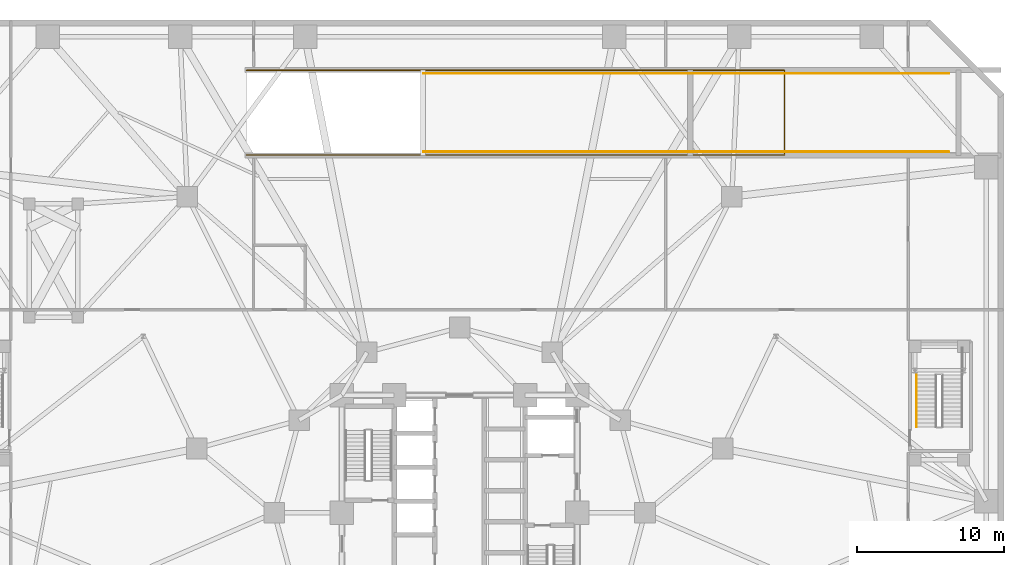
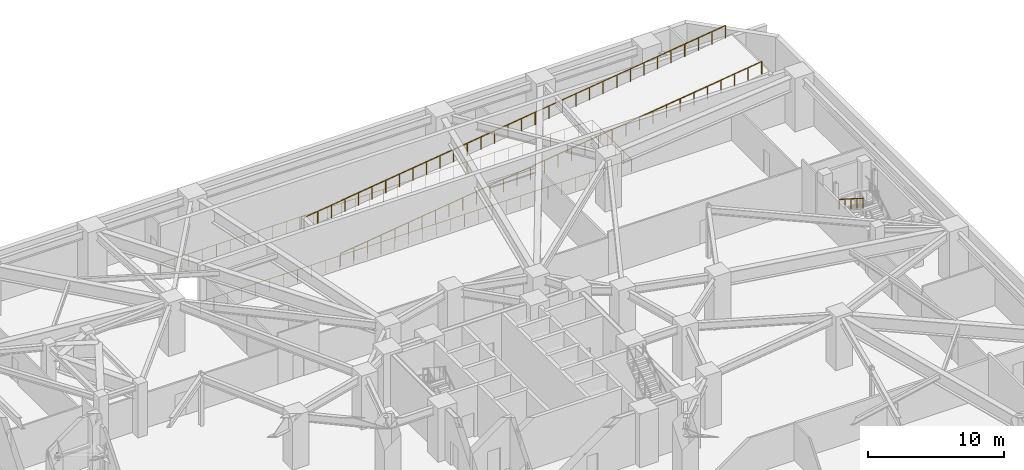
# One storey, part 17 of 18: 4 railings.
"""IFC4 building model written with IfcOpenShell, lengths in metres."""

from ifc_helpers import new_model, si_unit, direction, frame, origin, origin_2d, place, context, subcontext, project, spatial, circle, extrude, material, layer, layer_set, type_object, element, save


model = new_model("IFC4")

# Units and contexts
model_context = context("Model", 3, precision=1e-05, world=origin(), true_north=direction((0.0, 1.0)))
body_context = subcontext(model_context, "Body", "Model", "MODEL_VIEW")
ifc_project = project(units=[si_unit("LENGTHUNIT", "METRE"), si_unit("AREAUNIT", "SQUARE_METRE"), si_unit("VOLUMEUNIT", "CUBIC_METRE"), si_unit("PLANEANGLEUNIT", "RADIAN"), si_unit("MASSUNIT", "GRAM", prefix="KILO")], contexts=[model_context])

# Site, building, storey
site_placement = place(None, origin())
site = spatial("IfcSite", under=ifc_project, at=site_placement, CompositionType="ELEMENT")
building_placement = place(site_placement, origin())
building = spatial("IfcBuilding", under=site, at=building_placement, Name="Terralouvre Media Tower", CompositionType="ELEMENT")
storey_placement = place(building_placement, frame((0.0, 0.0, -4.800048828125)))
storey = spatial("IfcBuildingStorey", under=building, at=storey_placement, Name="B01", CompositionType="ELEMENT", Elevation=-4.800048828125)

# Railings
ifc_material_1 = material(Name="Stainless steel 316 handrail and balustrade", Category="steel")
ifc_layer_1 = layer(ifc_material_1, 0.06005859375, Name="Roof Edge Safety Guardrail GR-ROOF1")
ifc_layer_set_1 = layer_set([ifc_layer_1], Name="Stainless steel 316 handrail and balustrade")
railing_type_1 = type_object("IfcRailingType", Name="Roof Edge Safety Guardrail GR-ROOF1", PredefinedType="GUARDRAIL", material=ifc_layer_set_1)
railing_1_placement = place(storey_placement, frame((-2.4599609375, 24.5400390625, 0.0)))
element("IfcRailing", 1, at=railing_1_placement, inside=storey, type_object=railing_type_1, Name="Vehicle Ramp VR2 S Guardrail", PredefinedType="GUARDRAIL", context=body_context, shape_type="SweptSolid", body=[
    extrude(circle(Radius=0.02392578125, at=origin_2d()), frame((0.0, 0.0, 1.1259765625), z_axis=(0.991449726843, 0.0, 0.130489229985), x_axis=(0.0, 1.0, 0.0)), (0.0, 0.0, 1.0), 36.017822265625),
    extrude(circle(Radius=0.02099609375, at=origin_2d()), origin(), (0.0, 0.0, 1.0), 1.101806640625),
    extrude(circle(Radius=0.02099609375, at=origin_2d()), frame((1.15185546875, 0.0, 0.151611328125)), (0.0, 0.0, 1.0), 1.101806640625),
    extrude(circle(Radius=0.02099609375, at=origin_2d()), frame((2.303955078125, 0.0, 0.30322265625)), (0.0, 0.0, 1.0), 1.101806640625),
    extrude(circle(Radius=0.02099609375, at=origin_2d()), frame((3.455810546875, 0.0, 0.454833984375)), (0.0, 0.0, 1.0), 1.101806640625),
    extrude(circle(Radius=0.02099609375, at=origin_2d()), frame((4.607666015625, 0.0, 0.6064453125)), (0.0, 0.0, 1.0), 1.101806640625),
    extrude(circle(Radius=0.02099609375, at=origin_2d()), frame((5.759765625, 0.0, 0.758056640625)), (0.0, 0.0, 1.0), 1.101806640625),
    extrude(circle(Radius=0.02099609375, at=origin_2d()), frame((6.91162109375, 0.0, 0.90966796875)), (0.0, 0.0, 1.0), 1.101806640625),
    extrude(circle(Radius=0.02099609375, at=origin_2d()), frame((8.0634765625, 0.0, 1.061279296875)), (0.0, 0.0, 1.0), 1.101806640625),
    extrude(circle(Radius=0.02099609375, at=origin_2d()), frame((9.215576171875, 0.0, 1.212890625)), (0.0, 0.0, 1.0), 1.101806640625),
    extrude(circle(Radius=0.02099609375, at=origin_2d()), frame((10.367431640625, 0.0, 1.364501953125)), (0.0, 0.0, 1.0), 1.101806640625),
    extrude(circle(Radius=0.02099609375, at=origin_2d()), frame((11.519287109375, 0.0, 1.51611328125)), (0.0, 0.0, 1.0), 1.101806640625),
    extrude(circle(Radius=0.02099609375, at=origin_2d()), frame((12.67138671875, 0.0, 1.667724609375)), (0.0, 0.0, 1.0), 1.101806640625),
    extrude(circle(Radius=0.02099609375, at=origin_2d()), frame((13.8232421875, 0.0, 1.8193359375)), (0.0, 0.0, 1.0), 1.101806640625),
    extrude(circle(Radius=0.02099609375, at=origin_2d()), frame((14.97509765625, 0.0, 1.970947265625)), (0.0, 0.0, 1.0), 1.101806640625),
    extrude(circle(Radius=0.02099609375, at=origin_2d()), frame((16.127197265625, 0.0, 2.12255859375)), (0.0, 0.0, 1.0), 1.101806640625),
    extrude(circle(Radius=0.02099609375, at=origin_2d()), frame((17.279052734375, 0.0, 2.274169921875)), (0.0, 0.0, 1.0), 1.101806640625),
    extrude(circle(Radius=0.02099609375, at=origin_2d()), frame((18.430908203125, 0.0, 2.42578125)), (0.0, 0.0, 1.0), 1.101806640625),
    extrude(circle(Radius=0.02099609375, at=origin_2d()), frame((19.582763671875, 0.0, 2.577392578125)), (0.0, 0.0, 1.0), 1.101806640625),
    extrude(circle(Radius=0.02099609375, at=origin_2d()), frame((20.73486328125, 0.0, 2.72900390625)), (0.0, 0.0, 1.0), 1.101806640625),
    extrude(circle(Radius=0.02099609375, at=origin_2d()), frame((21.88671875, 0.0, 2.880615234375)), (0.0, 0.0, 1.0), 1.101806640625),
    extrude(circle(Radius=0.02099609375, at=origin_2d()), frame((23.03857421875, 0.0, 3.0322265625)), (0.0, 0.0, 1.0), 1.101806640625),
    extrude(circle(Radius=0.02099609375, at=origin_2d()), frame((24.190673828125, 0.0, 3.183837890625)), (0.0, 0.0, 1.0), 1.101806640625),
    extrude(circle(Radius=0.02099609375, at=origin_2d()), frame((25.342529296875, 0.0, 3.33544921875)), (0.0, 0.0, 1.0), 1.101806640625),
    extrude(circle(Radius=0.02099609375, at=origin_2d()), frame((26.494384765625, 0.0, 3.487060546875)), (0.0, 0.0, 1.0), 1.101806640625),
    extrude(circle(Radius=0.02099609375, at=origin_2d()), frame((27.646484375, 0.0, 3.638671875)), (0.0, 0.0, 1.0), 1.101806640625),
    extrude(circle(Radius=0.02099609375, at=origin_2d()), frame((28.79833984375, 0.0, 3.790283203125)), (0.0, 0.0, 1.0), 1.101806640625),
    extrude(circle(Radius=0.02099609375, at=origin_2d()), frame((29.9501953125, 0.0, 3.94189453125)), (0.0, 0.0, 1.0), 1.101806640625),
    extrude(circle(Radius=0.02099609375, at=origin_2d()), frame((31.102294921875, 0.0, 4.093505859375)), (0.0, 0.0, 1.0), 1.101806640625),
    extrude(circle(Radius=0.02099609375, at=origin_2d()), frame((32.254150390625, 0.0, 4.2451171875)), (0.0, 0.0, 1.0), 1.101806640625),
    extrude(circle(Radius=0.02099609375, at=origin_2d()), frame((33.406005859375, 0.0, 4.396728515625)), (0.0, 0.0, 1.0), 1.101806640625),
    extrude(circle(Radius=0.02099609375, at=origin_2d()), frame((34.55810546875, 0.0, 4.54833984375)), (0.0, 0.0, 1.0), 1.101806640625),
    extrude(circle(Radius=0.02099609375, at=origin_2d()), frame((35.7099609375, 0.0, 4.699951171875)), (0.0, 0.0, 1.0), 1.101806640625),
])
railing_2_placement = place(storey_placement, frame((-2.4599609375, 29.860107421875, 0.0)))
element("IfcRailing", 2, at=railing_2_placement, inside=storey, type_object=railing_type_1, Name="Vehicle Ramp VR2 N Guardrail", PredefinedType="GUARDRAIL", context=body_context, shape_type="SweptSolid", body=[
    extrude(circle(Radius=0.02392578125, at=origin_2d()), frame((0.0, 0.0, 1.1259765625), z_axis=(0.991449726843, 0.0, 0.130489229985), x_axis=(0.0, 1.0, 0.0)), (0.0, 0.0, 1.0), 36.017822265625),
    extrude(circle(Radius=0.02099609375, at=origin_2d()), origin(), (0.0, 0.0, 1.0), 1.101806640625),
    extrude(circle(Radius=0.02099609375, at=origin_2d()), frame((1.15185546875, 0.0, 0.151611328125)), (0.0, 0.0, 1.0), 1.101806640625),
    extrude(circle(Radius=0.02099609375, at=origin_2d()), frame((2.303955078125, 0.0, 0.30322265625)), (0.0, 0.0, 1.0), 1.101806640625),
    extrude(circle(Radius=0.02099609375, at=origin_2d()), frame((3.455810546875, 0.0, 0.454833984375)), (0.0, 0.0, 1.0), 1.101806640625),
    extrude(circle(Radius=0.02099609375, at=origin_2d()), frame((4.607666015625, 0.0, 0.6064453125)), (0.0, 0.0, 1.0), 1.101806640625),
    extrude(circle(Radius=0.02099609375, at=origin_2d()), frame((5.759765625, 0.0, 0.758056640625)), (0.0, 0.0, 1.0), 1.101806640625),
    extrude(circle(Radius=0.02099609375, at=origin_2d()), frame((6.91162109375, 0.0, 0.90966796875)), (0.0, 0.0, 1.0), 1.101806640625),
    extrude(circle(Radius=0.02099609375, at=origin_2d()), frame((8.0634765625, 0.0, 1.061279296875)), (0.0, 0.0, 1.0), 1.101806640625),
    extrude(circle(Radius=0.02099609375, at=origin_2d()), frame((9.215576171875, 0.0, 1.212890625)), (0.0, 0.0, 1.0), 1.101806640625),
    extrude(circle(Radius=0.02099609375, at=origin_2d()), frame((10.367431640625, 0.0, 1.364501953125)), (0.0, 0.0, 1.0), 1.101806640625),
    extrude(circle(Radius=0.02099609375, at=origin_2d()), frame((11.519287109375, 0.0, 1.51611328125)), (0.0, 0.0, 1.0), 1.101806640625),
    extrude(circle(Radius=0.02099609375, at=origin_2d()), frame((12.67138671875, 0.0, 1.667724609375)), (0.0, 0.0, 1.0), 1.101806640625),
    extrude(circle(Radius=0.02099609375, at=origin_2d()), frame((13.8232421875, 0.0, 1.8193359375)), (0.0, 0.0, 1.0), 1.101806640625),
    extrude(circle(Radius=0.02099609375, at=origin_2d()), frame((14.97509765625, 0.0, 1.970947265625)), (0.0, 0.0, 1.0), 1.101806640625),
    extrude(circle(Radius=0.02099609375, at=origin_2d()), frame((16.127197265625, 0.0, 2.12255859375)), (0.0, 0.0, 1.0), 1.101806640625),
    extrude(circle(Radius=0.02099609375, at=origin_2d()), frame((17.279052734375, 0.0, 2.274169921875)), (0.0, 0.0, 1.0), 1.101806640625),
    extrude(circle(Radius=0.02099609375, at=origin_2d()), frame((18.430908203125, 0.0, 2.42578125)), (0.0, 0.0, 1.0), 1.101806640625),
    extrude(circle(Radius=0.02099609375, at=origin_2d()), frame((19.582763671875, 0.0, 2.577392578125)), (0.0, 0.0, 1.0), 1.101806640625),
    extrude(circle(Radius=0.02099609375, at=origin_2d()), frame((20.73486328125, 0.0, 2.72900390625)), (0.0, 0.0, 1.0), 1.101806640625),
    extrude(circle(Radius=0.02099609375, at=origin_2d()), frame((21.88671875, 0.0, 2.880615234375)), (0.0, 0.0, 1.0), 1.101806640625),
    extrude(circle(Radius=0.02099609375, at=origin_2d()), frame((23.03857421875, 0.0, 3.0322265625)), (0.0, 0.0, 1.0), 1.101806640625),
    extrude(circle(Radius=0.02099609375, at=origin_2d()), frame((24.190673828125, 0.0, 3.183837890625)), (0.0, 0.0, 1.0), 1.101806640625),
    extrude(circle(Radius=0.02099609375, at=origin_2d()), frame((25.342529296875, 0.0, 3.33544921875)), (0.0, 0.0, 1.0), 1.101806640625),
    extrude(circle(Radius=0.02099609375, at=origin_2d()), frame((26.494384765625, 0.0, 3.487060546875)), (0.0, 0.0, 1.0), 1.101806640625),
    extrude(circle(Radius=0.02099609375, at=origin_2d()), frame((27.646484375, 0.0, 3.638671875)), (0.0, 0.0, 1.0), 1.101806640625),
    extrude(circle(Radius=0.02099609375, at=origin_2d()), frame((28.79833984375, 0.0, 3.790283203125)), (0.0, 0.0, 1.0), 1.101806640625),
    extrude(circle(Radius=0.02099609375, at=origin_2d()), frame((29.9501953125, 0.0, 3.94189453125)), (0.0, 0.0, 1.0), 1.101806640625),
    extrude(circle(Radius=0.02099609375, at=origin_2d()), frame((31.102294921875, 0.0, 4.093505859375)), (0.0, 0.0, 1.0), 1.101806640625),
    extrude(circle(Radius=0.02099609375, at=origin_2d()), frame((32.254150390625, 0.0, 4.2451171875)), (0.0, 0.0, 1.0), 1.101806640625),
    extrude(circle(Radius=0.02099609375, at=origin_2d()), frame((33.406005859375, 0.0, 4.396728515625)), (0.0, 0.0, 1.0), 1.101806640625),
    extrude(circle(Radius=0.02099609375, at=origin_2d()), frame((34.55810546875, 0.0, 4.54833984375)), (0.0, 0.0, 1.0), 1.101806640625),
    extrude(circle(Radius=0.02099609375, at=origin_2d()), frame((35.7099609375, 0.0, 4.699951171875)), (0.0, 0.0, 1.0), 1.101806640625),
])
railing_3_placement = place(storey_placement, frame((-14.47998046875, 24.320068359375, 0.0)))
element("IfcRailing", 3, at=railing_3_placement, inside=storey, type_object=railing_type_1, Name="B01 Vehicle Ramp Opening Deck Guard", PredefinedType="GUARDRAIL", context=body_context, shape_type="SweptSolid", body=[
    extrude(circle(Radius=0.02392578125, at=origin_2d()), frame((0.0, 0.0, 1.1259765625), z_axis=(1.0, 0.0, 0.0), x_axis=(0.0, 1.0, 0.0)), (0.0, 0.0, 1.0), 36.56005859375),
    extrude(circle(Radius=0.02392578125, at=origin_2d()), frame((36.56005859375, 0.0, 1.1259765625), z_axis=(0.0, 1.0, 0.0), x_axis=(-1.0, 0.0, 0.0)), (0.0, 0.0, 1.0), 5.760009765625),
    extrude(circle(Radius=0.02392578125, at=origin_2d()), frame((36.56005859375, 5.760009765625, 1.1259765625), z_axis=(-1.0, 0.0, 0.0), x_axis=(0.0, -1.0, 0.0)), (0.0, 0.0, 1.0), 36.56005859375),
    extrude(circle(Radius=0.02099609375, at=origin_2d()), origin(), (0.0, 0.0, 1.0), 1.101806640625),
    extrude(circle(Radius=0.02099609375, at=origin_2d()), frame((1.179443359375, 0.0, 0.0)), (0.0, 0.0, 1.0), 1.101806640625),
    extrude(circle(Radius=0.02099609375, at=origin_2d()), frame((2.358642578125, 0.0, 0.0)), (0.0, 0.0, 1.0), 1.101806640625),
    extrude(circle(Radius=0.02099609375, at=origin_2d()), frame((3.5380859375, 0.0, 0.0)), (0.0, 0.0, 1.0), 1.101806640625),
    extrude(circle(Radius=0.02099609375, at=origin_2d()), frame((4.717529296875, 0.0, 0.0)), (0.0, 0.0, 1.0), 1.101806640625),
    extrude(circle(Radius=0.02099609375, at=origin_2d()), frame((5.896728515625, 0.0, 0.0)), (0.0, 0.0, 1.0), 1.101806640625),
    extrude(circle(Radius=0.02099609375, at=origin_2d()), frame((7.076171875, 0.0, 0.0)), (0.0, 0.0, 1.0), 1.101806640625),
    extrude(circle(Radius=0.02099609375, at=origin_2d()), frame((8.255615234375, 0.0, 0.0)), (0.0, 0.0, 1.0), 1.101806640625),
    extrude(circle(Radius=0.02099609375, at=origin_2d()), frame((9.434814453125, 0.0, 0.0)), (0.0, 0.0, 1.0), 1.101806640625),
    extrude(circle(Radius=0.02099609375, at=origin_2d()), frame((10.6142578125, 0.0, 0.0)), (0.0, 0.0, 1.0), 1.101806640625),
    extrude(circle(Radius=0.02099609375, at=origin_2d()), frame((11.79345703125, 0.0, 0.0)), (0.0, 0.0, 1.0), 1.101806640625),
    extrude(circle(Radius=0.02099609375, at=origin_2d()), frame((12.972900390625, 0.0, 0.0)), (0.0, 0.0, 1.0), 1.101806640625),
    extrude(circle(Radius=0.02099609375, at=origin_2d()), frame((14.15234375, 0.0, 0.0)), (0.0, 0.0, 1.0), 1.101806640625),
    extrude(circle(Radius=0.02099609375, at=origin_2d()), frame((15.33154296875, 0.0, 0.0)), (0.0, 0.0, 1.0), 1.101806640625),
    extrude(circle(Radius=0.02099609375, at=origin_2d()), frame((16.510986328125, 0.0, 0.0)), (0.0, 0.0, 1.0), 1.101806640625),
    extrude(circle(Radius=0.02099609375, at=origin_2d()), frame((17.6904296875, 0.0, 0.0)), (0.0, 0.0, 1.0), 1.101806640625),
    extrude(circle(Radius=0.02099609375, at=origin_2d()), frame((18.86962890625, 0.0, 0.0)), (0.0, 0.0, 1.0), 1.101806640625),
    extrude(circle(Radius=0.02099609375, at=origin_2d()), frame((20.049072265625, 0.0, 0.0)), (0.0, 0.0, 1.0), 1.101806640625),
    extrude(circle(Radius=0.02099609375, at=origin_2d()), frame((21.228515625, 0.0, 0.0)), (0.0, 0.0, 1.0), 1.101806640625),
    extrude(circle(Radius=0.02099609375, at=origin_2d()), frame((22.40771484375, 0.0, 0.0)), (0.0, 0.0, 1.0), 1.101806640625),
    extrude(circle(Radius=0.02099609375, at=origin_2d()), frame((23.587158203125, 0.0, 0.0)), (0.0, 0.0, 1.0), 1.101806640625),
    extrude(circle(Radius=0.02099609375, at=origin_2d()), frame((24.7666015625, 0.0, 0.0)), (0.0, 0.0, 1.0), 1.101806640625),
    extrude(circle(Radius=0.02099609375, at=origin_2d()), frame((25.94580078125, 0.0, 0.0)), (0.0, 0.0, 1.0), 1.101806640625),
    extrude(circle(Radius=0.02099609375, at=origin_2d()), frame((27.125244140625, 0.0, 0.0)), (0.0, 0.0, 1.0), 1.101806640625),
    extrude(circle(Radius=0.02099609375, at=origin_2d()), frame((28.304443359375, 0.0, 0.0)), (0.0, 0.0, 1.0), 1.101806640625),
    extrude(circle(Radius=0.02099609375, at=origin_2d()), frame((29.48388671875, 0.0, 0.0)), (0.0, 0.0, 1.0), 1.101806640625),
    extrude(circle(Radius=0.02099609375, at=origin_2d()), frame((30.663330078125, 0.0, 0.0)), (0.0, 0.0, 1.0), 1.101806640625),
    extrude(circle(Radius=0.02099609375, at=origin_2d()), frame((31.842529296875, 0.0, 0.0)), (0.0, 0.0, 1.0), 1.101806640625),
    extrude(circle(Radius=0.02099609375, at=origin_2d()), frame((33.02197265625, 0.0, 0.0)), (0.0, 0.0, 1.0), 1.101806640625),
    extrude(circle(Radius=0.02099609375, at=origin_2d()), frame((34.201416015625, 0.0, 0.0)), (0.0, 0.0, 1.0), 1.101806640625),
    extrude(circle(Radius=0.02099609375, at=origin_2d()), frame((35.380615234375, 0.0, 0.0)), (0.0, 0.0, 1.0), 1.101806640625),
    extrude(circle(Radius=0.02099609375, at=origin_2d()), frame((36.56005859375, 0.0, 0.0)), (0.0, 0.0, 1.0), 1.101806640625),
    extrude(circle(Radius=0.02099609375, at=origin_2d()), frame((36.56005859375, 1.152099609375, 0.0)), (0.0, 0.0, 1.0), 1.101806640625),
    extrude(circle(Radius=0.02099609375, at=origin_2d()), frame((36.56005859375, 2.303955078125, 0.0)), (0.0, 0.0, 1.0), 1.101806640625),
    extrude(circle(Radius=0.02099609375, at=origin_2d()), frame((36.56005859375, 3.4560546875, 0.0)), (0.0, 0.0, 1.0), 1.101806640625),
    extrude(circle(Radius=0.02099609375, at=origin_2d()), frame((36.56005859375, 4.60791015625, 0.0)), (0.0, 0.0, 1.0), 1.101806640625),
    extrude(circle(Radius=0.02099609375, at=origin_2d()), frame((36.56005859375, 5.760009765625, 0.0)), (0.0, 0.0, 1.0), 1.101806640625),
    extrude(circle(Radius=0.02099609375, at=origin_2d()), frame((35.380615234375, 5.760009765625, 0.0)), (0.0, 0.0, 1.0), 1.101806640625),
    extrude(circle(Radius=0.02099609375, at=origin_2d()), frame((34.201416015625, 5.760009765625, 0.0)), (0.0, 0.0, 1.0), 1.101806640625),
    extrude(circle(Radius=0.02099609375, at=origin_2d()), frame((33.02197265625, 5.760009765625, 0.0)), (0.0, 0.0, 1.0), 1.101806640625),
    extrude(circle(Radius=0.02099609375, at=origin_2d()), frame((31.842529296875, 5.760009765625, 0.0)), (0.0, 0.0, 1.0), 1.101806640625),
    extrude(circle(Radius=0.02099609375, at=origin_2d()), frame((30.663330078125, 5.760009765625, 0.0)), (0.0, 0.0, 1.0), 1.101806640625),
    extrude(circle(Radius=0.02099609375, at=origin_2d()), frame((29.48388671875, 5.760009765625, 0.0)), (0.0, 0.0, 1.0), 1.101806640625),
    extrude(circle(Radius=0.02099609375, at=origin_2d()), frame((28.304443359375, 5.760009765625, 0.0)), (0.0, 0.0, 1.0), 1.101806640625),
    extrude(circle(Radius=0.02099609375, at=origin_2d()), frame((27.125244140625, 5.760009765625, 0.0)), (0.0, 0.0, 1.0), 1.101806640625),
    extrude(circle(Radius=0.02099609375, at=origin_2d()), frame((25.94580078125, 5.760009765625, 0.0)), (0.0, 0.0, 1.0), 1.101806640625),
    extrude(circle(Radius=0.02099609375, at=origin_2d()), frame((24.7666015625, 5.760009765625, 0.0)), (0.0, 0.0, 1.0), 1.101806640625),
    extrude(circle(Radius=0.02099609375, at=origin_2d()), frame((23.587158203125, 5.760009765625, 0.0)), (0.0, 0.0, 1.0), 1.101806640625),
    extrude(circle(Radius=0.02099609375, at=origin_2d()), frame((22.40771484375, 5.760009765625, 0.0)), (0.0, 0.0, 1.0), 1.101806640625),
    extrude(circle(Radius=0.02099609375, at=origin_2d()), frame((21.228515625, 5.760009765625, 0.0)), (0.0, 0.0, 1.0), 1.101806640625),
    extrude(circle(Radius=0.02099609375, at=origin_2d()), frame((20.049072265625, 5.760009765625, 0.0)), (0.0, 0.0, 1.0), 1.101806640625),
    extrude(circle(Radius=0.02099609375, at=origin_2d()), frame((18.86962890625, 5.760009765625, 0.0)), (0.0, 0.0, 1.0), 1.101806640625),
    extrude(circle(Radius=0.02099609375, at=origin_2d()), frame((17.6904296875, 5.760009765625, 0.0)), (0.0, 0.0, 1.0), 1.101806640625),
    extrude(circle(Radius=0.02099609375, at=origin_2d()), frame((16.510986328125, 5.760009765625, 0.0)), (0.0, 0.0, 1.0), 1.101806640625),
    extrude(circle(Radius=0.02099609375, at=origin_2d()), frame((15.33154296875, 5.760009765625, 0.0)), (0.0, 0.0, 1.0), 1.101806640625),
    extrude(circle(Radius=0.02099609375, at=origin_2d()), frame((14.15234375, 5.760009765625, 0.0)), (0.0, 0.0, 1.0), 1.101806640625),
    extrude(circle(Radius=0.02099609375, at=origin_2d()), frame((12.972900390625, 5.760009765625, 0.0)), (0.0, 0.0, 1.0), 1.101806640625),
    extrude(circle(Radius=0.02099609375, at=origin_2d()), frame((11.79345703125, 5.760009765625, 0.0)), (0.0, 0.0, 1.0), 1.101806640625),
    extrude(circle(Radius=0.02099609375, at=origin_2d()), frame((10.6142578125, 5.760009765625, 0.0)), (0.0, 0.0, 1.0), 1.101806640625),
    extrude(circle(Radius=0.02099609375, at=origin_2d()), frame((9.434814453125, 5.760009765625, 0.0)), (0.0, 0.0, 1.0), 1.101806640625),
    extrude(circle(Radius=0.02099609375, at=origin_2d()), frame((8.255615234375, 5.760009765625, 0.0)), (0.0, 0.0, 1.0), 1.101806640625),
    extrude(circle(Radius=0.02099609375, at=origin_2d()), frame((7.076171875, 5.760009765625, 0.0)), (0.0, 0.0, 1.0), 1.101806640625),
    extrude(circle(Radius=0.02099609375, at=origin_2d()), frame((5.896728515625, 5.760009765625, 0.0)), (0.0, 0.0, 1.0), 1.101806640625),
    extrude(circle(Radius=0.02099609375, at=origin_2d()), frame((4.717529296875, 5.760009765625, 0.0)), (0.0, 0.0, 1.0), 1.101806640625),
    extrude(circle(Radius=0.02099609375, at=origin_2d()), frame((3.5380859375, 5.760009765625, 0.0)), (0.0, 0.0, 1.0), 1.101806640625),
    extrude(circle(Radius=0.02099609375, at=origin_2d()), frame((2.358642578125, 5.760009765625, 0.0)), (0.0, 0.0, 1.0), 1.101806640625),
    extrude(circle(Radius=0.02099609375, at=origin_2d()), frame((1.179443359375, 5.760009765625, 0.0)), (0.0, 0.0, 1.0), 1.101806640625),
    extrude(circle(Radius=0.02099609375, at=origin_2d()), frame((0.0, 5.760009765625, 0.0)), (0.0, 0.0, 1.0), 1.101806640625),
])
ifc_material_2 = material(Name="Stainless steel 316 handrail and balustrade", Category="steel")
ifc_layer_2 = layer(ifc_material_2, 0.050048828125, Name="Stair Flight Wall Handrail HR-INT1")
ifc_layer_set_2 = layer_set([ifc_layer_2], Name="Stainless steel 316 handrail and balustrade")
railing_type_2 = type_object("IfcRailingType", Name="Stair Flight Wall Handrail HR-INT1", PredefinedType="HANDRAIL", material=ifc_layer_set_2)
railing_4_placement = place(storey_placement, frame((31.050048828125, 9.360107421875, 2.571533203125)))
element("IfcRailing", 4, at=railing_4_placement, inside=storey, type_object=railing_type_2, Name="B01 ST-04 stair handrail 2", PredefinedType="HANDRAIL", context=body_context, shape_type="SweptSolid", body=[
    extrude(circle(Radius=0.02392578125, at=origin_2d()), frame((0.0, 0.0, 0.8759765625), z_axis=(0.0, -0.844219563411, 0.53599750816), x_axis=(1.0, 0.0, 0.0)), (0.0, 0.0, 1.0), 4.15771484375),
    extrude(circle(Radius=0.02099609375, at=origin_2d()), origin(), (0.0, 0.0, 1.0), 0.851806640625),
    extrude(circle(Radius=0.02099609375, at=origin_2d()), frame((0.0, -0.87744140625, 0.55712890625)), (0.0, 0.0, 1.0), 0.851806640625),
    extrude(circle(Radius=0.02099609375, at=origin_2d()), frame((0.0, -1.7548828125, 1.1142578125)), (0.0, 0.0, 1.0), 0.851806640625),
    extrude(circle(Radius=0.02099609375, at=origin_2d()), frame((0.0, -2.632568359375, 1.67138671875)), (0.0, 0.0, 1.0), 0.851806640625),
    extrude(circle(Radius=0.02099609375, at=origin_2d()), frame((0.0, -3.510009765625, 2.228515625)), (0.0, 0.0, 1.0), 0.851806640625),
])

save(model, "model.ifc")
